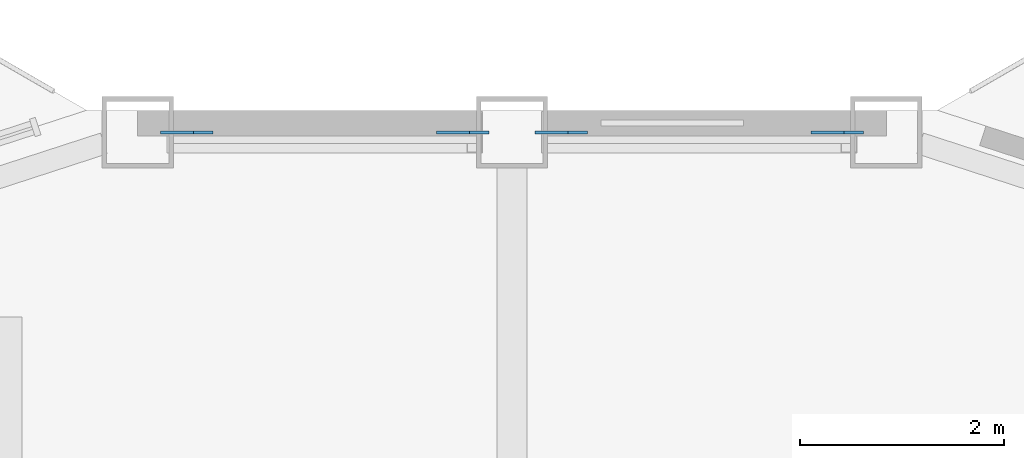
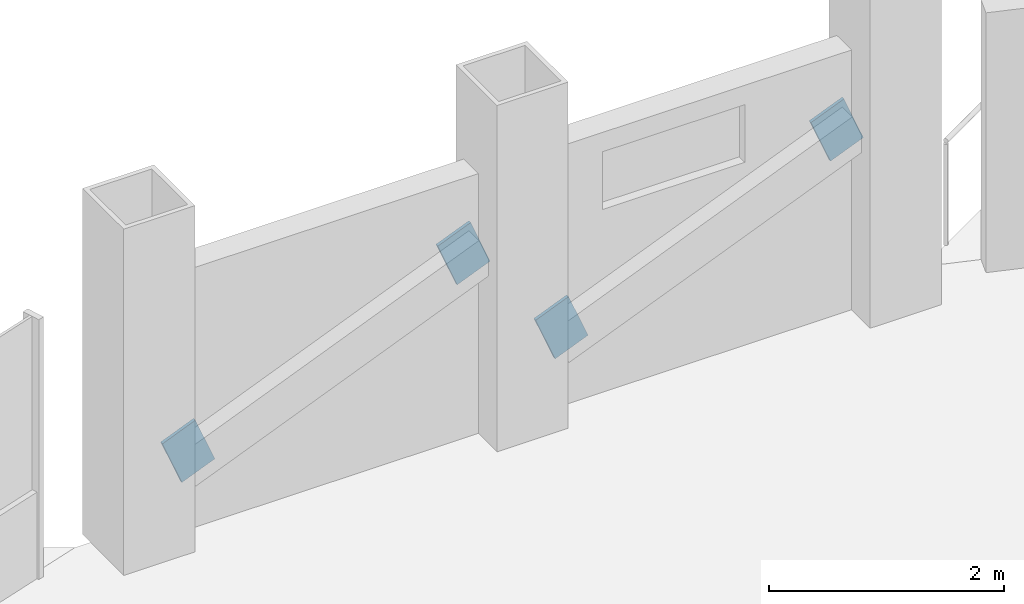
# One storey, part 18 of 23: 4 discrete accessories.
"""IFC4 building model written with IfcOpenShell, lengths in metres."""

from ifc_helpers import new_model, si_unit, direction, frame, origin, origin_2d, place, context, subcontext, project, spatial, rectangle, extrude, material, material_profile, profile_set, type_object, element, save


model = new_model("IFC4")

# Units and contexts
model_context = context("Model", 3, precision=1e-05, world=origin(), true_north=direction((0.0, 1.0)))
body_context = subcontext(model_context, "Body", "Model", "MODEL_VIEW")
ifc_project = project(units=[si_unit("LENGTHUNIT", "METRE"), si_unit("AREAUNIT", "SQUARE_METRE"), si_unit("VOLUMEUNIT", "CUBIC_METRE"), si_unit("PLANEANGLEUNIT", "RADIAN"), si_unit("MASSUNIT", "GRAM", prefix="KILO")], contexts=[model_context])

# Site, building, storey
site_placement = place(None, origin())
site = spatial("IfcSite", under=ifc_project, at=site_placement, CompositionType="ELEMENT")
building_placement = place(site_placement, origin())
building = spatial("IfcBuilding", under=site, at=building_placement, Name="Cormorant Prow Tower", CompositionType="ELEMENT")
storey_placement = place(building_placement, frame((0.0, 0.0, 241.800048828125)))
storey = spatial("IfcBuildingStorey", under=building, at=storey_placement, Name="L53", CompositionType="ELEMENT", Elevation=241.800048828125)

# Discrete accessories
ifc_material = material(Name="Structural steel ASTM A500 Gr C", Category="steel")
ifc_material_profile = material_profile(ifc_material, rectangle(XDim=0.031982421875, YDim=0.506103515625, at=origin_2d()), Name="Gusset plate 32x506")
ifc_profile_set = profile_set([ifc_material_profile], Name="Structural steel ASTM A500 Gr C")
discrete_accessory_type = type_object("IfcDiscreteAccessoryType", Name="Gusset plate 32x506", PredefinedType="BRACKET", material=ifc_profile_set)
discrete_accessory_1_placement = place(storey_placement, frame((0.643310546875, 32.073486328125, 0.863037109375), z_axis=(-0.925513623242, 0.0, -0.378714316067), x_axis=(0.0, -1.0, 0.0)))
element("IfcDiscreteAccessory", 1, at=discrete_accessory_1_placement, inside=storey, type_object=discrete_accessory_type, Name="Gusset plate GP2 L53.N00.g0", PredefinedType="BRACKET", context=body_context, shape_type="SweptSolid", body=[
    extrude(rectangle(XDim=0.031982421875, YDim=0.506103515625, at=origin_2d()), origin(), (0.0, 0.0, 1.0), 0.35009765625),
])
discrete_accessory_2_placement = place(storey_placement, frame((3.027099609375, 32.073486328125, 1.837890625), z_axis=(0.925757954086, 0.0, 0.378116662483), x_axis=(0.0, 1.0, 0.0)))
element("IfcDiscreteAccessory", 2, at=discrete_accessory_2_placement, inside=storey, type_object=discrete_accessory_type, Name="Gusset plate GP2 L53.N00.g1", PredefinedType="BRACKET", context=body_context, shape_type="SweptSolid", body=[
    extrude(rectangle(XDim=0.031982421875, YDim=0.506103515625, at=origin_2d()), origin(), (0.0, 0.0, 1.0), 0.349853515625),
])
discrete_accessory_3_placement = place(storey_placement, frame((-3.027099609375, 32.073486328125, 0.863037109375), z_axis=(-0.925513623242, 0.0, -0.378714316067), x_axis=(0.0, -1.0, 0.0)))
element("IfcDiscreteAccessory", 3, at=discrete_accessory_3_placement, inside=storey, type_object=discrete_accessory_type, Name="Gusset plate GP2 L53.N01.g0", PredefinedType="BRACKET", context=body_context, shape_type="SweptSolid", body=[
    extrude(rectangle(XDim=0.031982421875, YDim=0.506103515625, at=origin_2d()), origin(), (0.0, 0.0, 1.0), 0.35009765625),
])
discrete_accessory_4_placement = place(storey_placement, frame((-0.643310546875, 32.073486328125, 1.837890625), z_axis=(0.925757954086, 0.0, 0.378116662483), x_axis=(0.0, 1.0, 0.0)))
element("IfcDiscreteAccessory", 4, at=discrete_accessory_4_placement, inside=storey, type_object=discrete_accessory_type, Name="Gusset plate GP2 L53.N01.g1", PredefinedType="BRACKET", context=body_context, shape_type="SweptSolid", body=[
    extrude(rectangle(XDim=0.031982421875, YDim=0.506103515625, at=origin_2d()), origin(), (0.0, 0.0, 1.0), 0.349853515625),
])

save(model, "model.ifc")
